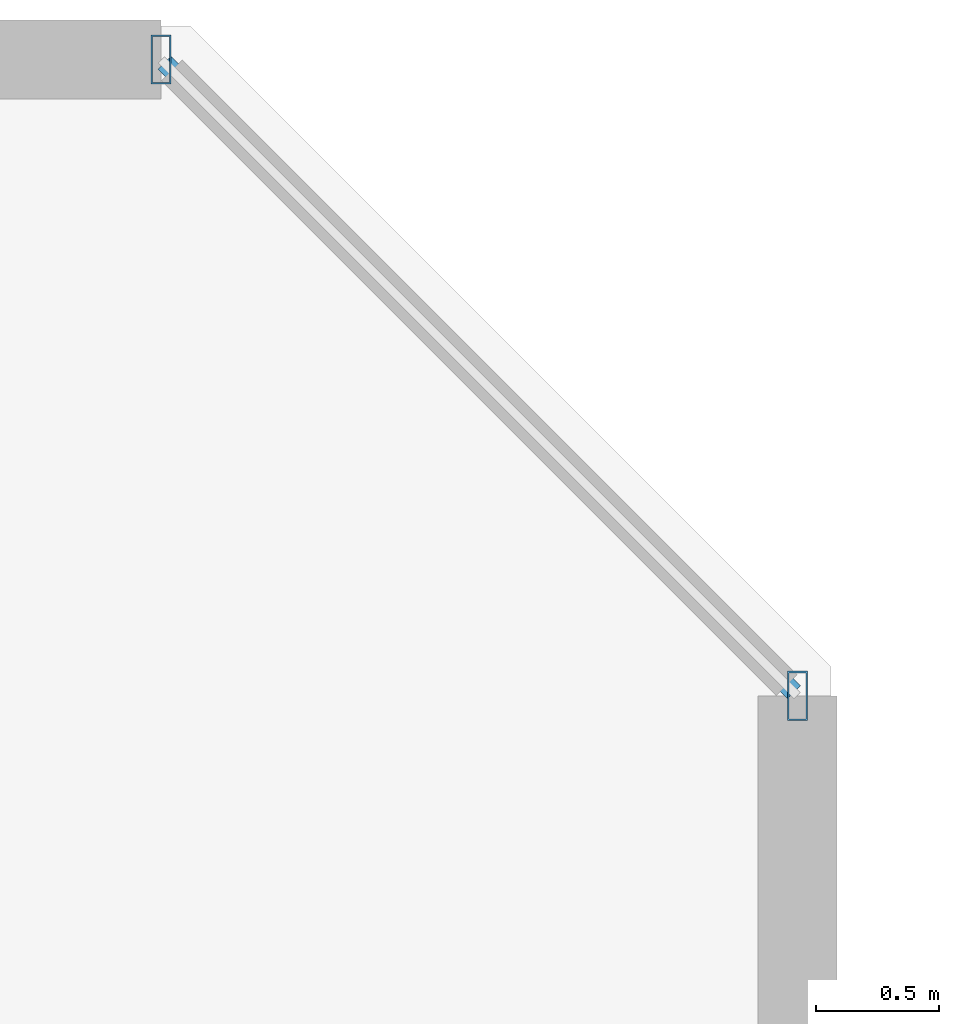
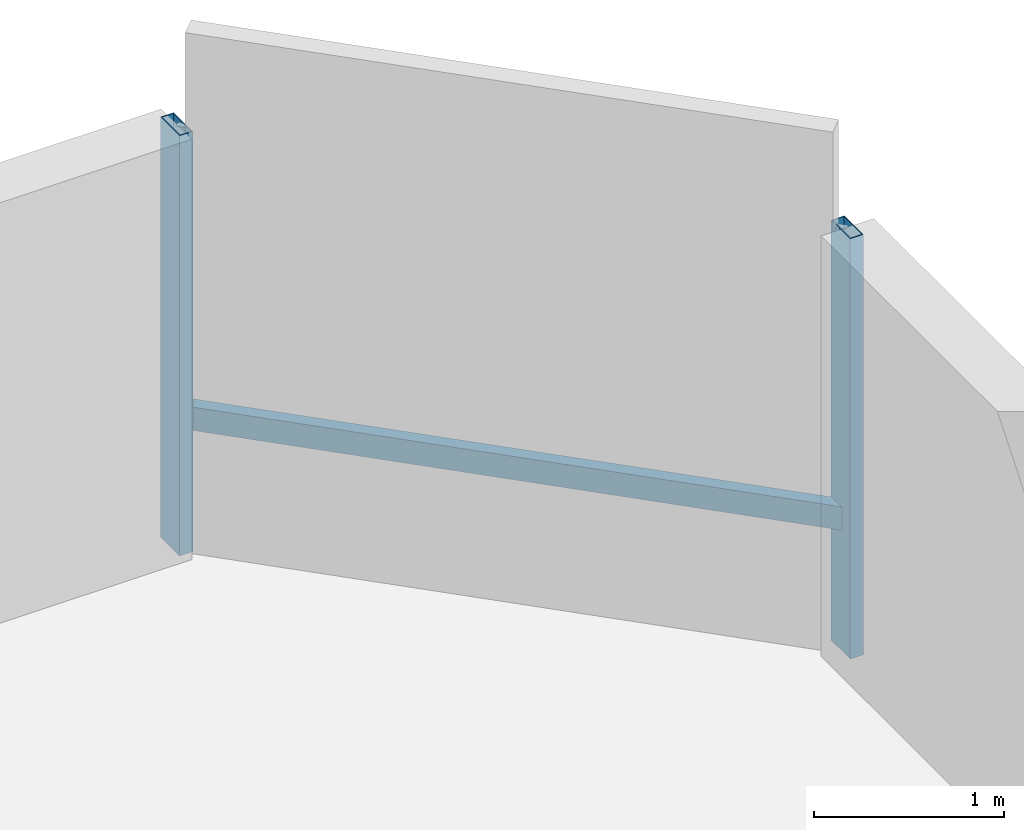
# One storey, part 16 of 32: 3 members, 1 element without a shape of its own.
"""IFC4 building model written with IfcOpenShell, lengths in metres."""

from ifc_helpers import new_model, si_unit, direction, frame, origin, origin_2d, place, context, subcontext, project, spatial, hollow_rectangle, extrude, material, material_profile, profile_set, type_object, element, aggregate, save


model = new_model("IFC4")

# Units and contexts
model_context = context("Model", 3, precision=1e-05, world=origin(), true_north=direction((0.0, 1.0)))
body_context = subcontext(model_context, "Body", "Model", "MODEL_VIEW")
ifc_project = project(units=[si_unit("LENGTHUNIT", "METRE"), si_unit("AREAUNIT", "SQUARE_METRE"), si_unit("VOLUMEUNIT", "CUBIC_METRE"), si_unit("PLANEANGLEUNIT", "RADIAN"), si_unit("MASSUNIT", "GRAM", prefix="KILO")], contexts=[model_context])

# Site, building, storey
site_placement = place(None, origin())
site = spatial("IfcSite", under=ifc_project, at=site_placement, CompositionType="ELEMENT")
building_placement = place(site_placement, origin())
building = spatial("IfcBuilding", under=site, at=building_placement, Name="Thornwick Lancets Civic Towers", CompositionType="ELEMENT")
storey_placement = place(building_placement, frame((0.0, 0.0, 123.300048828125)))
storey = spatial("IfcBuildingStorey", under=building, at=storey_placement, Name="L32", CompositionType="ELEMENT", Elevation=123.300048828125)

# Curtain wall, members
ifc_material_1 = material(Name="Mid-zone chamfered-corner unitised glass curtain wall", Category="glass")
curtain_wall_type = type_object("IfcCurtainWallType", Name="CW_SYS_04", PredefinedType="NOTDEFINED", material=ifc_material_1)
curtain_wall_placement = place(storey_placement, origin())
curtain_wall = element("IfcCurtainWall", 1, at=curtain_wall_placement, inside=storey, type_object=curtain_wall_type, Name="L32 Curtain Wall CW-L32-B-E3", PredefinedType="NOTDEFINED")
ifc_material_2 = material(Name="Thermally broken bronze aluminium S355", Category="steel")
ifc_material_profile_1 = material_profile(ifc_material_2, hollow_rectangle(XDim=0.080078125, YDim=0.199951171875, WallThickness=0.006103515625, at=origin_2d()), Name="RHS 200x80x6")
ifc_profile_set_1 = profile_set([ifc_material_profile_1], Name="Thermally broken bronze aluminium S355")
member_type_1 = type_object("IfcMemberType", Name="CW_MUL_200", PredefinedType="MULLION", material=ifc_profile_set_1)
member_1_placement = place(storey_placement, frame((112.2646484375, 42.181396484375, 0.0), z_axis=(0.0, 0.0, 1.0), x_axis=(1.0, 0.0, 0.0)))
member_1 = element("IfcMember", 2, at=member_1_placement, type_object=member_type_1, Name="CW-L32-B-E3 Mullion 0", PredefinedType="MULLION", context=body_context, shape_type="SweptSolid", body=[
    extrude(hollow_rectangle(XDim=0.080078125, YDim=0.199951171875, WallThickness=0.006103515625, at=origin_2d()), origin(), (0.0, 0.0, 1.0), 2.699951171875),
])
member_2_placement = place(storey_placement, frame((109.681396484375, 44.7646484375, 0.0), z_axis=(0.0, 0.0, 1.0), x_axis=(1.0, 0.0, 0.0)))
member_2 = element("IfcMember", 3, at=member_2_placement, type_object=member_type_1, Name="CW-L32-B-E3 Mullion 1", PredefinedType="MULLION", context=body_context, shape_type="SweptSolid", body=[
    extrude(hollow_rectangle(XDim=0.080078125, YDim=0.199951171875, WallThickness=0.006103515625, at=origin_2d()), origin(), (0.0, 0.0, 1.0), 2.699951171875),
])
ifc_material_profile_2 = material_profile(ifc_material_2, hollow_rectangle(XDim=0.074951171875, YDim=0.14990234375, WallThickness=0.0048828125, at=origin_2d()), Name="RHS 150x75x5")
ifc_profile_set_2 = profile_set([ifc_material_profile_2], Name="Thermally broken bronze aluminium S355")
member_type_2 = type_object("IfcMemberType", Name="CW_TRN_150", PredefinedType="USERDEFINED", material=ifc_profile_set_2)
member_3_placement = place(storey_placement, frame((112.25048828125, 42.195556640625, 0.849853515625), z_axis=(-0.707106781187, 0.707106781187, 0.0), x_axis=(-0.707106781187, -0.707106781187, 0.0)))
member_3 = element("IfcMember", 4, at=member_3_placement, type_object=member_type_2, Name="CW-L32-B-E3 Transom 0", ObjectType="TRANSOM", PredefinedType="USERDEFINED", context=body_context, shape_type="SweptSolid", body=[
    extrude(hollow_rectangle(XDim=0.074951171875, YDim=0.14990234375, WallThickness=0.0048828125, at=origin_2d()), origin(), (0.0, 0.0, 1.0), 3.61328125),
])
aggregate(curtain_wall, [member_1, member_2, member_3])

save(model, "model.ifc")
